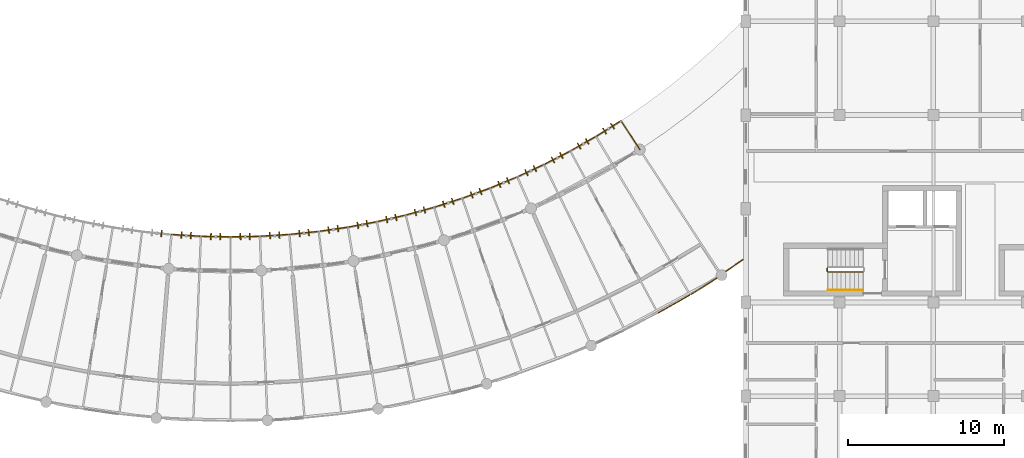
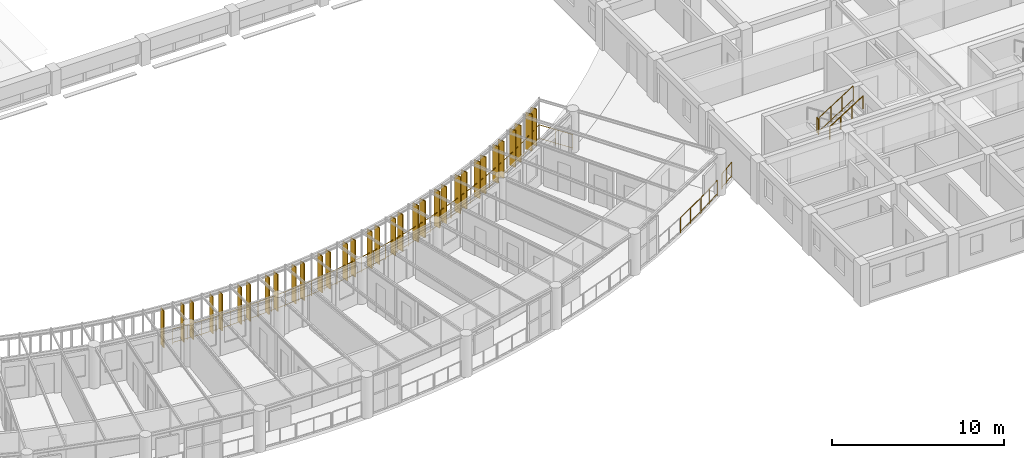
# One storey, part 126 of 137: 33 shading devices, 23 railings.
"""IFC4 building model written with IfcOpenShell, lengths in metres."""

from ifc_helpers import new_model, si_unit, direction, frame, origin, origin_2d, place, context, subcontext, project, spatial, rectangle, circle, extrude, material, layer, layer_set, type_object, element, save


model = new_model("IFC4")

# Units and contexts
model_context = context("Model", 3, precision=1e-05, world=origin(), true_north=direction((0.0, 1.0)))
body_context = subcontext(model_context, "Body", "Model", "MODEL_VIEW")
ifc_project = project(units=[si_unit("LENGTHUNIT", "METRE"), si_unit("AREAUNIT", "SQUARE_METRE"), si_unit("VOLUMEUNIT", "CUBIC_METRE"), si_unit("PLANEANGLEUNIT", "RADIAN"), si_unit("MASSUNIT", "GRAM", prefix="KILO"), si_unit("POWERUNIT", "WATT"), si_unit("THERMODYNAMICTEMPERATUREUNIT", "KELVIN")], contexts=[model_context])

# Site, building, storey
site_placement = place(None, origin())
site = spatial("IfcSite", under=ifc_project, at=site_placement, CompositionType="ELEMENT")
building_placement = place(site_placement, origin())
building = spatial("IfcBuilding", under=site, at=building_placement, Name="Ruvembo Vaulted Housing Court", CompositionType="ELEMENT")
storey_placement = place(building_placement, frame((0.0, 0.0, 4.5)))
storey = spatial("IfcBuildingStorey", under=building, at=storey_placement, Name="L01", CompositionType="ELEMENT", Elevation=4.5)

# Railings
ifc_material_1 = material(Name="Galvanised Painted Steel and Laminated Glass", Category="steel")
ifc_layer_1 = layer(ifc_material_1, 0.070068359375, Name="Galvanised Painted Steel and Laminated Glass")
ifc_layer_set_1 = layer_set([ifc_layer_1], Name="Galvanised Painted Steel and Laminated Glass")
railing_type_1 = type_object("IfcRailingType", Name="RL-BALUST-1120", PredefinedType="BALUSTRADE", material=ifc_layer_set_1)
railing_1_placement = place(storey_placement, frame((96.4072265625, 11.339599609375, 0.0)))
element("IfcRailing", 1, at=railing_1_placement, inside=storey, type_object=railing_type_1, Name="L01 Perimeter Guard RL-EXT-L01-0286", PredefinedType="BALUSTRADE", context=body_context, shape_type="SweptSolid", body=[
    extrude(circle(Radius=0.02392578125, at=origin_2d()), frame((0.0, 0.0, 1.09619140625), z_axis=(0.869960830337, 0.49312083071, 0.0), x_axis=(-0.49312083071, 0.869960830337, 0.0)), (0.0, 0.0, 1.0), 2.27587890625),
    extrude(circle(Radius=0.01806640625, at=origin_2d()), frame((0.0, 0.0, 0.1201171875), z_axis=(0.869960830337, 0.49312083071, 0.0), x_axis=(-0.49312083071, 0.869960830337, 0.0)), (0.0, 0.0, 1.0), 2.27587890625),
    extrude(circle(Radius=0.02099609375, at=origin_2d()), origin(), (0.0, 0.0, 1.0), 1.072021484375),
    extrude(circle(Radius=0.02099609375, at=origin_2d()), frame((0.989990234375, 0.56103515625, 0.0)), (0.0, 0.0, 1.0), 1.072021484375),
    extrude(circle(Radius=0.02099609375, at=origin_2d()), frame((1.97998046875, 1.122314453125, 0.0)), (0.0, 0.0, 1.0), 1.072021484375),
])
railing_2_placement = place(storey_placement, frame((98.47314453125, 12.512939453125, 0.0)))
element("IfcRailing", 2, at=railing_2_placement, inside=storey, type_object=railing_type_1, Name="L01 Perimeter Guard RL-EXT-L01-0287", PredefinedType="BALUSTRADE", context=body_context, shape_type="SweptSolid", body=[
    extrude(circle(Radius=0.02392578125, at=origin_2d()), frame((0.0, 0.0, 1.09619140625), z_axis=(0.848906322391, 0.528543333895, 0.0), x_axis=(-0.528543333895, 0.848906322391, 0.0)), (0.0, 0.0, 1.0), 1.97607421875),
    extrude(circle(Radius=0.01806640625, at=origin_2d()), frame((0.0, 0.0, 0.1201171875), z_axis=(0.848906322391, 0.528543333895, 0.0), x_axis=(-0.528543333895, 0.848906322391, 0.0)), (0.0, 0.0, 1.0), 1.97607421875),
    extrude(circle(Radius=0.02099609375, at=origin_2d()), origin(), (0.0, 0.0, 1.0), 1.072021484375),
    extrude(circle(Radius=0.02099609375, at=origin_2d()), frame((0.8388671875, 0.522216796875, 0.0)), (0.0, 0.0, 1.0), 1.072021484375),
    extrude(circle(Radius=0.02099609375, at=origin_2d()), frame((1.677490234375, 1.04443359375, 0.0)), (0.0, 0.0, 1.0), 1.072021484375),
])
ifc_material_2 = material(Name="Galvanised Painted Steel S275", Category="steel")
ifc_layer_2 = layer(ifc_material_2, 0.06005859375, Name="Galvanised Painted Steel S275")
ifc_layer_set_2 = layer_set([ifc_layer_2], Name="Galvanised Painted Steel S275")
railing_type_2 = type_object("IfcRailingType", Name="RL-GUARD-1100", PredefinedType="GUARDRAIL", material=ifc_layer_set_2)
railing_3_placement = place(storey_placement, frame((65.2255859375, 16.355712890625, 0.0)))
element("IfcRailing", 3, at=railing_3_placement, inside=storey, type_object=railing_type_2, Name="L01 Perimeter Guard RL-EXT-L01-0249", PredefinedType="GUARDRAIL", context=body_context, shape_type="SweptSolid", body=[
    extrude(circle(Radius=0.02392578125, at=origin_2d()), frame((0.0, 0.0, 1.076171875), z_axis=(0.998090110864, -0.061774837886, 0.0), x_axis=(0.061774837886, 0.998090110864, 0.0)), (0.0, 0.0, 1.0), 1.88916015625),
    extrude(circle(Radius=0.01806640625, at=origin_2d()), frame((0.0, 0.0, 0.1201171875), z_axis=(0.998090110864, -0.061774837886, 0.0), x_axis=(0.061774837886, 0.998090110864, 0.0)), (0.0, 0.0, 1.0), 1.88916015625),
    extrude(circle(Radius=0.02099609375, at=origin_2d()), origin(), (0.0, 0.0, 1.0), 1.052001953125),
    extrude(circle(Radius=0.02099609375, at=origin_2d()), frame((0.94287109375, -0.058349609375, 0.0)), (0.0, 0.0, 1.0), 1.052001953125),
    extrude(circle(Radius=0.02099609375, at=origin_2d()), frame((1.885498046875, -0.11669921875, 0.0)), (0.0, 0.0, 1.0), 1.052001953125),
])
railing_4_placement = place(storey_placement, frame((67.111083984375, 16.239013671875, 0.0)))
element("IfcRailing", 4, at=railing_4_placement, inside=storey, type_object=railing_type_2, Name="L01 Perimeter Guard RL-EXT-L01-0250", PredefinedType="GUARDRAIL", context=body_context, shape_type="SweptSolid", body=[
    extrude(circle(Radius=0.02392578125, at=origin_2d()), frame((0.0, 0.0, 1.076171875), z_axis=(0.99978624046, -0.020675429556, 0.0), x_axis=(0.020675429556, 0.99978624046, 0.0)), (0.0, 0.0, 1.0), 1.889404296875),
    extrude(circle(Radius=0.01806640625, at=origin_2d()), frame((0.0, 0.0, 0.1201171875), z_axis=(0.99978624046, -0.020675429556, 0.0), x_axis=(0.020675429556, 0.99978624046, 0.0)), (0.0, 0.0, 1.0), 1.889404296875),
    extrude(circle(Radius=0.02099609375, at=origin_2d()), origin(), (0.0, 0.0, 1.0), 1.052001953125),
    extrude(circle(Radius=0.02099609375, at=origin_2d()), frame((0.9443359375, -0.01953125, 0.0)), (0.0, 0.0, 1.0), 1.052001953125),
    extrude(circle(Radius=0.02099609375, at=origin_2d()), frame((1.888916015625, -0.0390625, 0.0)), (0.0, 0.0, 1.0), 1.052001953125),
])
railing_5_placement = place(storey_placement, frame((69.0, 16.199951171875, 0.0)))
element("IfcRailing", 5, at=railing_5_placement, inside=storey, type_object=railing_type_2, Name="L01 Perimeter Guard RL-EXT-L01-0251", PredefinedType="GUARDRAIL", context=body_context, shape_type="SweptSolid", body=[
    extrude(circle(Radius=0.02392578125, at=origin_2d()), frame((0.0, 0.0, 1.076171875), z_axis=(0.99978624046, 0.020675429556, 0.0), x_axis=(-0.020675429556, 0.99978624046, 0.0)), (0.0, 0.0, 1.0), 1.889404296875),
    extrude(circle(Radius=0.01806640625, at=origin_2d()), frame((0.0, 0.0, 0.1201171875), z_axis=(0.99978624046, 0.020675429556, 0.0), x_axis=(-0.020675429556, 0.99978624046, 0.0)), (0.0, 0.0, 1.0), 1.889404296875),
    extrude(circle(Radius=0.02099609375, at=origin_2d()), origin(), (0.0, 0.0, 1.0), 1.052001953125),
    extrude(circle(Radius=0.02099609375, at=origin_2d()), frame((0.9443359375, 0.01953125, 0.0)), (0.0, 0.0, 1.0), 1.052001953125),
    extrude(circle(Radius=0.02099609375, at=origin_2d()), frame((1.888916015625, 0.0390625, 0.0)), (0.0, 0.0, 1.0), 1.052001953125),
])
railing_6_placement = place(storey_placement, frame((70.888916015625, 16.239013671875, 0.0)))
element("IfcRailing", 6, at=railing_6_placement, inside=storey, type_object=railing_type_2, Name="L01 Perimeter Guard RL-EXT-L01-0252", PredefinedType="GUARDRAIL", context=body_context, shape_type="SweptSolid", body=[
    extrude(circle(Radius=0.02392578125, at=origin_2d()), frame((0.0, 0.0, 1.076171875), z_axis=(0.998090110864, 0.061774837886, 0.0), x_axis=(-0.061774837886, 0.998090110864, 0.0)), (0.0, 0.0, 1.0), 1.88916015625),
    extrude(circle(Radius=0.01806640625, at=origin_2d()), frame((0.0, 0.0, 0.1201171875), z_axis=(0.998090110864, 0.061774837886, 0.0), x_axis=(-0.061774837886, 0.998090110864, 0.0)), (0.0, 0.0, 1.0), 1.88916015625),
    extrude(circle(Radius=0.02099609375, at=origin_2d()), origin(), (0.0, 0.0, 1.0), 1.052001953125),
    extrude(circle(Radius=0.02099609375, at=origin_2d()), frame((0.94287109375, 0.058349609375, 0.0)), (0.0, 0.0, 1.0), 1.052001953125),
    extrude(circle(Radius=0.02099609375, at=origin_2d()), frame((1.885498046875, 0.11669921875, 0.0)), (0.0, 0.0, 1.0), 1.052001953125),
])
railing_7_placement = place(storey_placement, frame((72.7744140625, 16.355712890625, 0.0)))
element("IfcRailing", 7, at=railing_7_placement, inside=storey, type_object=railing_type_2, Name="L01 Perimeter Guard RL-EXT-L01-0253", PredefinedType="GUARDRAIL", context=body_context, shape_type="SweptSolid", body=[
    extrude(circle(Radius=0.02392578125, at=origin_2d()), frame((0.0, 0.0, 1.076171875), z_axis=(0.994683125416, 0.10298291127, 0.0), x_axis=(-0.10298291127, 0.994683125416, 0.0)), (0.0, 0.0, 1.0), 1.889404296875),
    extrude(circle(Radius=0.01806640625, at=origin_2d()), frame((0.0, 0.0, 0.1201171875), z_axis=(0.994683125416, 0.10298291127, 0.0), x_axis=(-0.10298291127, 0.994683125416, 0.0)), (0.0, 0.0, 1.0), 1.889404296875),
    extrude(circle(Radius=0.02099609375, at=origin_2d()), origin(), (0.0, 0.0, 1.0), 1.052001953125),
    extrude(circle(Radius=0.02099609375, at=origin_2d()), frame((0.939697265625, 0.09716796875, 0.0)), (0.0, 0.0, 1.0), 1.052001953125),
    extrude(circle(Radius=0.02099609375, at=origin_2d()), frame((1.87939453125, 0.194580078125, 0.0)), (0.0, 0.0, 1.0), 1.052001953125),
])
railing_8_placement = place(storey_placement, frame((74.65380859375, 16.55029296875, 0.0)))
element("IfcRailing", 8, at=railing_8_placement, inside=storey, type_object=railing_type_2, Name="L01 Perimeter Guard RL-EXT-L01-0254", PredefinedType="GUARDRAIL", context=body_context, shape_type="SweptSolid", body=[
    extrude(circle(Radius=0.02392578125, at=origin_2d()), frame((0.0, 0.0, 1.076171875), z_axis=(0.989600158039, 0.143845497701, 0.0), x_axis=(-0.143845497701, 0.989600158039, 0.0)), (0.0, 0.0, 1.0), 1.888916015625),
    extrude(circle(Radius=0.01806640625, at=origin_2d()), frame((0.0, 0.0, 0.1201171875), z_axis=(0.989600158039, 0.143845497701, 0.0), x_axis=(-0.143845497701, 0.989600158039, 0.0)), (0.0, 0.0, 1.0), 1.888916015625),
    extrude(circle(Radius=0.02099609375, at=origin_2d()), origin(), (0.0, 0.0, 1.0), 1.052001953125),
    extrude(circle(Radius=0.02099609375, at=origin_2d()), frame((0.9345703125, 0.1357421875, 0.0)), (0.0, 0.0, 1.0), 1.052001953125),
    extrude(circle(Radius=0.02099609375, at=origin_2d()), frame((1.869384765625, 0.271728515625, 0.0)), (0.0, 0.0, 1.0), 1.052001953125),
])
railing_9_placement = place(storey_placement, frame((76.523193359375, 16.822021484375, 0.0)))
element("IfcRailing", 9, at=railing_9_placement, inside=storey, type_object=railing_type_2, Name="L01 Perimeter Guard RL-EXT-L01-0255", PredefinedType="GUARDRAIL", context=body_context, shape_type="SweptSolid", body=[
    extrude(circle(Radius=0.02392578125, at=origin_2d()), frame((0.0, 0.0, 1.076171875), z_axis=(0.982804832401, 0.184647397515, 0.0), x_axis=(-0.184647397515, 0.982804832401, 0.0)), (0.0, 0.0, 1.0), 1.889404296875),
    extrude(circle(Radius=0.01806640625, at=origin_2d()), frame((0.0, 0.0, 0.1201171875), z_axis=(0.982804832401, 0.184647397515, 0.0), x_axis=(-0.184647397515, 0.982804832401, 0.0)), (0.0, 0.0, 1.0), 1.889404296875),
    extrude(circle(Radius=0.02099609375, at=origin_2d()), origin(), (0.0, 0.0, 1.0), 1.052001953125),
    extrude(circle(Radius=0.02099609375, at=origin_2d()), frame((0.928466796875, 0.17431640625, 0.0)), (0.0, 0.0, 1.0), 1.052001953125),
    extrude(circle(Radius=0.02099609375, at=origin_2d()), frame((1.85693359375, 0.348876953125, 0.0)), (0.0, 0.0, 1.0), 1.052001953125),
])
railing_10_placement = place(storey_placement, frame((78.380126953125, 17.1708984375, 0.0)))
element("IfcRailing", 10, at=railing_10_placement, inside=storey, type_object=railing_type_2, Name="L01 Perimeter Guard RL-EXT-L01-0256", PredefinedType="GUARDRAIL", context=body_context, shape_type="SweptSolid", body=[
    extrude(circle(Radius=0.02392578125, at=origin_2d()), frame((0.0, 0.0, 1.076171875), z_axis=(0.974391195695, 0.224859506699, 0.0), x_axis=(-0.224859506699, 0.974391195695, 0.0)), (0.0, 0.0, 1.0), 1.88916015625),
    extrude(circle(Radius=0.01806640625, at=origin_2d()), frame((0.0, 0.0, 0.1201171875), z_axis=(0.974391195695, 0.224859506699, 0.0), x_axis=(-0.224859506699, 0.974391195695, 0.0)), (0.0, 0.0, 1.0), 1.88916015625),
    extrude(circle(Radius=0.02099609375, at=origin_2d()), origin(), (0.0, 0.0, 1.0), 1.052001953125),
    extrude(circle(Radius=0.02099609375, at=origin_2d()), frame((0.92041015625, 0.21240234375, 0.0)), (0.0, 0.0, 1.0), 1.052001953125),
    extrude(circle(Radius=0.02099609375, at=origin_2d()), frame((1.8408203125, 0.4248046875, 0.0)), (0.0, 0.0, 1.0), 1.052001953125),
])
railing_11_placement = place(storey_placement, frame((80.220947265625, 17.595703125, 0.0)))
element("IfcRailing", 11, at=railing_11_placement, inside=storey, type_object=railing_type_2, Name="L01 Perimeter Guard RL-EXT-L01-0257", PredefinedType="GUARDRAIL", context=body_context, shape_type="SweptSolid", body=[
    extrude(circle(Radius=0.02392578125, at=origin_2d()), frame((0.0, 0.0, 1.076171875), z_axis=(0.964240073493, 0.26503033915, 0.0), x_axis=(-0.26503033915, 0.964240073493, 0.0)), (0.0, 0.0, 1.0), 1.889404296875),
    extrude(circle(Radius=0.01806640625, at=origin_2d()), frame((0.0, 0.0, 0.1201171875), z_axis=(0.964240073493, 0.26503033915, 0.0), x_axis=(-0.26503033915, 0.964240073493, 0.0)), (0.0, 0.0, 1.0), 1.889404296875),
    extrude(circle(Radius=0.02099609375, at=origin_2d()), origin(), (0.0, 0.0, 1.0), 1.052001953125),
    extrude(circle(Radius=0.02099609375, at=origin_2d()), frame((0.910888671875, 0.25048828125, 0.0)), (0.0, 0.0, 1.0), 1.052001953125),
    extrude(circle(Radius=0.02099609375, at=origin_2d()), frame((1.82177734375, 0.500732421875, 0.0)), (0.0, 0.0, 1.0), 1.052001953125),
])
railing_12_placement = place(storey_placement, frame((82.042724609375, 18.096435546875, 0.0)))
element("IfcRailing", 12, at=railing_12_placement, inside=storey, type_object=railing_type_2, Name="L01 Perimeter Guard RL-EXT-L01-0258", PredefinedType="GUARDRAIL", context=body_context, shape_type="SweptSolid", body=[
    extrude(circle(Radius=0.02392578125, at=origin_2d()), frame((0.0, 0.0, 1.076171875), z_axis=(0.952526124364, 0.304456864605, 0.0), x_axis=(-0.304456864605, 0.952526124364, 0.0)), (0.0, 0.0, 1.0), 1.88916015625),
    extrude(circle(Radius=0.01806640625, at=origin_2d()), frame((0.0, 0.0, 0.1201171875), z_axis=(0.952526124364, 0.304456864605, 0.0), x_axis=(-0.304456864605, 0.952526124364, 0.0)), (0.0, 0.0, 1.0), 1.88916015625),
    extrude(circle(Radius=0.02099609375, at=origin_2d()), origin(), (0.0, 0.0, 1.0), 1.052001953125),
    extrude(circle(Radius=0.02099609375, at=origin_2d()), frame((0.89990234375, 0.28759765625, 0.0)), (0.0, 0.0, 1.0), 1.052001953125),
    extrude(circle(Radius=0.02099609375, at=origin_2d()), frame((1.799560546875, 0.5751953125, 0.0)), (0.0, 0.0, 1.0), 1.052001953125),
])
railing_13_placement = place(storey_placement, frame((83.84228515625, 18.671630859375, 0.0)))
element("IfcRailing", 13, at=railing_13_placement, inside=storey, type_object=railing_type_2, Name="L01 Perimeter Guard RL-EXT-L01-0259", PredefinedType="GUARDRAIL", context=body_context, shape_type="SweptSolid", body=[
    extrude(circle(Radius=0.02392578125, at=origin_2d()), frame((0.0, 0.0, 1.076171875), z_axis=(0.939165556371, 0.343464783824, 0.0), x_axis=(-0.343464783824, 0.939165556371, 0.0)), (0.0, 0.0, 1.0), 1.889404296875),
    extrude(circle(Radius=0.01806640625, at=origin_2d()), frame((0.0, 0.0, 0.1201171875), z_axis=(0.939165556371, 0.343464783824, 0.0), x_axis=(-0.343464783824, 0.939165556371, 0.0)), (0.0, 0.0, 1.0), 1.889404296875),
    extrude(circle(Radius=0.02099609375, at=origin_2d()), origin(), (0.0, 0.0, 1.0), 1.052001953125),
    extrude(circle(Radius=0.02099609375, at=origin_2d()), frame((0.88720703125, 0.324462890625, 0.0)), (0.0, 0.0, 1.0), 1.052001953125),
    extrude(circle(Radius=0.02099609375, at=origin_2d()), frame((1.7744140625, 0.64892578125, 0.0)), (0.0, 0.0, 1.0), 1.052001953125),
])
railing_14_placement = place(storey_placement, frame((85.61669921875, 19.320556640625, 0.0)))
element("IfcRailing", 14, at=railing_14_placement, inside=storey, type_object=railing_type_2, Name="L01 Perimeter Guard RL-EXT-L01-0260", PredefinedType="GUARDRAIL", context=body_context, shape_type="SweptSolid", body=[
    extrude(circle(Radius=0.02392578125, at=origin_2d()), frame((0.0, 0.0, 1.076171875), z_axis=(0.924155321549, 0.38201693896, 0.0), x_axis=(-0.38201693896, 0.924155321549, 0.0)), (0.0, 0.0, 1.0), 1.88916015625),
    extrude(circle(Radius=0.01806640625, at=origin_2d()), frame((0.0, 0.0, 0.1201171875), z_axis=(0.924155321549, 0.38201693896, 0.0), x_axis=(-0.38201693896, 0.924155321549, 0.0)), (0.0, 0.0, 1.0), 1.88916015625),
    extrude(circle(Radius=0.02099609375, at=origin_2d()), origin(), (0.0, 0.0, 1.0), 1.052001953125),
    extrude(circle(Radius=0.02099609375, at=origin_2d()), frame((0.873046875, 0.36083984375, 0.0)), (0.0, 0.0, 1.0), 1.052001953125),
    extrude(circle(Radius=0.02099609375, at=origin_2d()), frame((1.745849609375, 0.7216796875, 0.0)), (0.0, 0.0, 1.0), 1.052001953125),
])
railing_15_placement = place(storey_placement, frame((87.362548828125, 20.042236328125, 0.0)))
element("IfcRailing", 15, at=railing_15_placement, inside=storey, type_object=railing_type_2, Name="L01 Perimeter Guard RL-EXT-L01-0261", PredefinedType="GUARDRAIL", context=body_context, shape_type="SweptSolid", body=[
    extrude(circle(Radius=0.02392578125, at=origin_2d()), frame((0.0, 0.0, 1.076171875), z_axis=(0.907656578832, 0.419713634403, 0.0), x_axis=(-0.419713634403, 0.907656578832, 0.0)), (0.0, 0.0, 1.0), 1.889404296875),
    extrude(circle(Radius=0.01806640625, at=origin_2d()), frame((0.0, 0.0, 0.1201171875), z_axis=(0.907656578832, 0.419713634403, 0.0), x_axis=(-0.419713634403, 0.907656578832, 0.0)), (0.0, 0.0, 1.0), 1.889404296875),
    extrude(circle(Radius=0.02099609375, at=origin_2d()), origin(), (0.0, 0.0, 1.0), 1.052001953125),
    extrude(circle(Radius=0.02099609375, at=origin_2d()), frame((0.857421875, 0.396484375, 0.0)), (0.0, 0.0, 1.0), 1.052001953125),
    extrude(circle(Radius=0.02099609375, at=origin_2d()), frame((1.71484375, 0.79296875, 0.0)), (0.0, 0.0, 1.0), 1.052001953125),
])
railing_16_placement = place(storey_placement, frame((89.077392578125, 20.835205078125, 0.0)))
element("IfcRailing", 16, at=railing_16_placement, inside=storey, type_object=railing_type_2, Name="L01 Perimeter Guard RL-EXT-L01-0262", PredefinedType="GUARDRAIL", context=body_context, shape_type="SweptSolid", body=[
    extrude(circle(Radius=0.02392578125, at=origin_2d()), frame((0.0, 0.0, 1.076171875), z_axis=(0.889568437347, 0.45680192127, 0.0), x_axis=(-0.45680192127, 0.889568437347, 0.0)), (0.0, 0.0, 1.0), 1.889404296875),
    extrude(circle(Radius=0.01806640625, at=origin_2d()), frame((0.0, 0.0, 0.1201171875), z_axis=(0.889568437347, 0.45680192127, 0.0), x_axis=(-0.45680192127, 0.889568437347, 0.0)), (0.0, 0.0, 1.0), 1.889404296875),
    extrude(circle(Radius=0.02099609375, at=origin_2d()), origin(), (0.0, 0.0, 1.0), 1.052001953125),
    extrude(circle(Radius=0.02099609375, at=origin_2d()), frame((0.84033203125, 0.431640625, 0.0)), (0.0, 0.0, 1.0), 1.052001953125),
    extrude(circle(Radius=0.02099609375, at=origin_2d()), frame((1.6806640625, 0.863037109375, 0.0)), (0.0, 0.0, 1.0), 1.052001953125),
])
railing_17_placement = place(storey_placement, frame((90.758056640625, 21.6982421875, 0.0)))
element("IfcRailing", 17, at=railing_17_placement, inside=storey, type_object=railing_type_2, Name="L01 Perimeter Guard RL-EXT-L01-0263", PredefinedType="GUARDRAIL", context=body_context, shape_type="SweptSolid", body=[
    extrude(circle(Radius=0.02392578125, at=origin_2d()), frame((0.0, 0.0, 1.076171875), z_axis=(0.869955662473, 0.493129947712, 0.0), x_axis=(-0.493129947712, 0.869955662473, 0.0)), (0.0, 0.0, 1.0), 1.88916015625),
    extrude(circle(Radius=0.01806640625, at=origin_2d()), frame((0.0, 0.0, 0.1201171875), z_axis=(0.869955662473, 0.493129947712, 0.0), x_axis=(-0.493129947712, 0.869955662473, 0.0)), (0.0, 0.0, 1.0), 1.88916015625),
    extrude(circle(Radius=0.02099609375, at=origin_2d()), origin(), (0.0, 0.0, 1.0), 1.052001953125),
    extrude(circle(Radius=0.02099609375, at=origin_2d()), frame((0.82177734375, 0.4658203125, 0.0)), (0.0, 0.0, 1.0), 1.052001953125),
    extrude(circle(Radius=0.02099609375, at=origin_2d()), frame((1.6435546875, 0.931640625, 0.0)), (0.0, 0.0, 1.0), 1.052001953125),
])
railing_18_placement = place(storey_placement, frame((92.401611328125, 22.6298828125, 0.0)))
element("IfcRailing", 18, at=railing_18_placement, inside=storey, type_object=railing_type_2, Name="L01 Perimeter Guard RL-EXT-L01-0264", PredefinedType="GUARDRAIL", context=body_context, shape_type="SweptSolid", body=[
    extrude(circle(Radius=0.02392578125, at=origin_2d()), frame((0.0, 0.0, 1.076171875), z_axis=(0.848904567119, 0.52854615307, 0.0), x_axis=(-0.52854615307, 0.848904567119, 0.0)), (0.0, 0.0, 1.0), 1.88916015625),
    extrude(circle(Radius=0.01806640625, at=origin_2d()), frame((0.0, 0.0, 0.1201171875), z_axis=(0.848904567119, 0.52854615307, 0.0), x_axis=(-0.52854615307, 0.848904567119, 0.0)), (0.0, 0.0, 1.0), 1.88916015625),
    extrude(circle(Radius=0.02099609375, at=origin_2d()), origin(), (0.0, 0.0, 1.0), 1.052001953125),
    extrude(circle(Radius=0.02099609375, at=origin_2d()), frame((0.8017578125, 0.499267578125, 0.0)), (0.0, 0.0, 1.0), 1.052001953125),
    extrude(circle(Radius=0.02099609375, at=origin_2d()), frame((1.603759765625, 0.99853515625, 0.0)), (0.0, 0.0, 1.0), 1.052001953125),
])
railing_19_placement = place(storey_placement, frame((94.00537109375, 23.62841796875, 0.0)))
element("IfcRailing", 19, at=railing_19_placement, inside=storey, type_object=railing_type_2, Name="L01 Perimeter Guard RL-EXT-L01-0265", PredefinedType="GUARDRAIL", context=body_context, shape_type="SweptSolid", body=[
    extrude(circle(Radius=0.02392578125, at=origin_2d()), frame((0.0, 0.0, 1.076171875), z_axis=(0.546013859183, -0.837776142881, 0.0), x_axis=(0.837776142881, 0.546013859183, 0.0)), (0.0, 0.0, 1.0), 2.199951171875),
    extrude(circle(Radius=0.01806640625, at=origin_2d()), frame((0.0, 0.0, 0.1201171875), z_axis=(0.546013859183, -0.837776142881, 0.0), x_axis=(0.837776142881, 0.546013859183, 0.0)), (0.0, 0.0, 1.0), 2.199951171875),
    extrude(circle(Radius=0.02099609375, at=origin_2d()), origin(), (0.0, 0.0, 1.0), 1.052001953125),
    extrude(circle(Radius=0.02099609375, at=origin_2d()), frame((0.6005859375, -0.92138671875, 0.0)), (0.0, 0.0, 1.0), 1.052001953125),
    extrude(circle(Radius=0.02099609375, at=origin_2d()), frame((1.201171875, -1.843017578125, 0.0)), (0.0, 0.0, 1.0), 1.052001953125),
])
railing_20_placement = place(storey_placement, frame((101.81494140625, 14.74658203125, 0.0)))
element("IfcRailing", 20, at=railing_20_placement, inside=storey, type_object=railing_type_2, Name="L01 Perimeter Guard RL-EXT-L01-0907", PredefinedType="GUARDRAIL", context=body_context, shape_type="SweptSolid", body=[
    extrude(circle(Radius=0.02392578125, at=origin_2d()), frame((0.0, 0.0, 1.076171875), z_axis=(-0.82642602125, -0.563045319136, 0.0), x_axis=(0.563045319136, -0.82642602125, 0.0)), (0.0, 0.0, 1.0), 1.325439453125),
    extrude(circle(Radius=0.01806640625, at=origin_2d()), frame((0.0, 0.0, 0.1201171875), z_axis=(-0.82642602125, -0.563045319136, 0.0), x_axis=(0.563045319136, -0.82642602125, 0.0)), (0.0, 0.0, 1.0), 1.325439453125),
    extrude(circle(Radius=0.02099609375, at=origin_2d()), origin(), (0.0, 0.0, 1.0), 1.052001953125),
    extrude(circle(Radius=0.02099609375, at=origin_2d()), frame((-0.5478515625, -0.373046875, 0.0)), (0.0, 0.0, 1.0), 1.052001953125),
    extrude(circle(Radius=0.02099609375, at=origin_2d()), frame((-1.095458984375, -0.746337890625, 0.0)), (0.0, 0.0, 1.0), 1.052001953125),
])
ifc_material_3 = material(Name="Painted Galvanised Steel S275", Category="steel")
ifc_layer_3 = layer(ifc_material_3, 0.06005859375, Name="Painted Galvanised Steel S275")
ifc_layer_set_3 = layer_set([ifc_layer_3], Name="Painted Galvanised Steel S275")
railing_type_3 = type_object("IfcRailingType", Name="RL-STAIR-GR1100", PredefinedType="GUARDRAIL", material=ifc_layer_set_3)
railing_21_placement = place(storey_placement, frame((107.2099609375, 14.199951171875, 1.60009765625)))
element("IfcRailing", 21, at=railing_21_placement, inside=storey, type_object=railing_type_3, Name="L01 ST-C1 stair guard 2", PredefinedType="GUARDRAIL", context=body_context, shape_type="SweptSolid", body=[
    extrude(circle(Radius=0.02392578125, at=origin_2d()), frame((0.0, 0.0, 1.076171875), z_axis=(0.0, -1.0, 0.0), x_axis=(1.0, 0.0, 0.0)), (0.0, 0.0, 1.0), 0.199951171875),
    extrude(circle(Radius=0.01806640625, at=origin_2d()), frame((0.0, 0.0, 0.1201171875), z_axis=(0.0, -1.0, 0.0), x_axis=(1.0, 0.0, 0.0)), (0.0, 0.0, 1.0), 0.199951171875),
    extrude(circle(Radius=0.02099609375, at=origin_2d()), origin(), (0.0, 0.0, 1.0), 1.052001953125),
    extrude(circle(Radius=0.02099609375, at=origin_2d()), frame((0.0, -0.199951171875, 0.0)), (0.0, 0.0, 1.0), 1.052001953125),
])
railing_22_placement = place(storey_placement, frame((107.260009765625, 13.949951171875, 1.77783203125)))
element("IfcRailing", 22, at=railing_22_placement, inside=storey, type_object=railing_type_3, Name="L01 ST-C1 stair guard 3", PredefinedType="GUARDRAIL", context=body_context, shape_type="SweptSolid", body=[
    extrude(circle(Radius=0.02392578125, at=origin_2d()), frame((0.0, 0.0, 1.076171875), z_axis=(0.8442293374, 0.0, 0.53598211339), x_axis=(0.0, 1.0, 0.0)), (0.0, 0.0, 1.0), 2.6533203125),
    extrude(circle(Radius=0.01806640625, at=origin_2d()), frame((0.0, 0.0, 0.1201171875), z_axis=(0.8442293374, 0.0, 0.53598211339), x_axis=(0.0, 1.0, 0.0)), (0.0, 0.0, 1.0), 2.6533203125),
    extrude(circle(Radius=0.02099609375, at=origin_2d()), origin(), (0.0, 0.0, 1.0), 1.052001953125),
    extrude(circle(Radius=0.02099609375, at=origin_2d()), frame((0.74658203125, 0.0, 0.47412109375)), (0.0, 0.0, 1.0), 1.052001953125),
    extrude(circle(Radius=0.02099609375, at=origin_2d()), frame((1.493408203125, 0.0, 0.947998046875)), (0.0, 0.0, 1.0), 1.052001953125),
    extrude(circle(Radius=0.02099609375, at=origin_2d()), frame((2.239990234375, 0.0, 1.422119140625)), (0.0, 0.0, 1.0), 1.052001953125),
])
ifc_material_4 = material(Name="Brushed Stainless Steel 304", Category="steel")
ifc_layer_4 = layer(ifc_material_4, 0.050048828125, Name="Brushed Stainless Steel 304")
ifc_layer_set_4 = layer_set([ifc_layer_4], Name="Brushed Stainless Steel 304")
railing_type_4 = type_object("IfcRailingType", Name="RL-STAIR-HR920", PredefinedType="HANDRAIL", material=ifc_layer_set_4)
railing_23_placement = place(storey_placement, frame((107.260009765625, 12.800048828125, 1.959228515625)))
element("IfcRailing", 23, at=railing_23_placement, inside=storey, type_object=railing_type_4, Name="L01 ST-C1 stair handrail 2", PredefinedType="HANDRAIL", context=body_context, shape_type="SweptSolid", body=[
    extrude(circle(Radius=0.02392578125, at=origin_2d()), frame((0.0, 0.0, 0.8759765625), z_axis=(0.84418770128, 0.0, 0.536047689118), x_axis=(0.0, 1.0, 0.0)), (0.0, 0.0, 1.0), 2.6533203125),
    extrude(circle(Radius=0.02099609375, at=origin_2d()), origin(), (0.0, 0.0, 1.0), 0.851806640625),
    extrude(circle(Radius=0.02099609375, at=origin_2d()), frame((0.74658203125, 0.0, 0.47412109375)), (0.0, 0.0, 1.0), 0.851806640625),
    extrude(circle(Radius=0.02099609375, at=origin_2d()), frame((1.493408203125, 0.0, 0.9482421875)), (0.0, 0.0, 1.0), 0.851806640625),
    extrude(circle(Radius=0.02099609375, at=origin_2d()), frame((2.239990234375, 0.0, 1.42236328125)), (0.0, 0.0, 1.0), 0.851806640625),
])

# Shading devices
ifc_material_5 = material(Name="Kiln-Fired Terracotta Extrusion", Category="masonry")
shading_device_type = type_object("IfcShadingDeviceType", Name="SHD-FIN-420", PredefinedType="USERDEFINED", material=ifc_material_5)
for number, where, z_axis, x_axis, name in (
    (24, (64.584228515625, 16.422119140625, 0.0498046875), (0.0, 0.0, 1.0), (-0.102948783072, -0.994686658232, 0.0), "Terracotta Brise-Soleil Fin #214"),
    (25, (65.868896484375, 16.31591796875, 0.0498046875), (0.0, 0.0, 1.0), (-0.061832453863, -0.998086543166, 0.0), "Terracotta Brise-Soleil Fin #215"),
    (26, (66.4677734375, 16.27880859375, 0.0498046875), (0.0, 0.0, 1.0), (-0.061832453863, -0.998086543166, 0.0), "Terracotta Brise-Soleil Fin #216"),
    (27, (67.755615234375, 16.2255859375, 0.0498046875), (0.0, 0.0, 1.0), (-0.020645778066, -0.999786853208, 0.0), "Terracotta Brise-Soleil Fin #217"),
    (28, (68.35546875, 16.21337890625, 0.0498046875), (0.0, 0.0, 1.0), (-0.020645778066, -0.999786853208, 0.0), "Terracotta Brise-Soleil Fin #218"),
    (29, (69.64453125, 16.21337890625, 0.0498046875), (0.0, 0.0, 1.0), (0.020645778066, -0.999786853208, 0.0), "Terracotta Brise-Soleil Fin #219"),
    (30, (70.244384765625, 16.2255859375, 0.0498046875), (0.0, 0.0, 1.0), (0.020645778066, -0.999786853208, 0.0), "Terracotta Brise-Soleil Fin #220"),
    (31, (71.5322265625, 16.27880859375, 0.0498046875), (0.0, 0.0, 1.0), (0.061832453863, -0.998086543166, 0.0), "Terracotta Brise-Soleil Fin #221"),
    (32, (72.131103515625, 16.31591796875, 0.0498046875), (0.0, 0.0, 1.0), (0.061832453863, -0.998086543166, 0.0), "Terracotta Brise-Soleil Fin #222"),
    (33, (73.415771484375, 16.422119140625, 0.0498046875), (0.0, 0.0, 1.0), (0.102948783072, -0.994686658232, 0.0), "Terracotta Brise-Soleil Fin #223"),
    (34, (74.012451171875, 16.48388671875, 0.0498046875), (0.0, 0.0, 1.0), (0.102948783072, -0.994686658232, 0.0), "Terracotta Brise-Soleil Fin #224"),
    (35, (75.29150390625, 16.64306640625, 0.0498046875), (0.0, 0.0, 1.0), (0.143872610257, -0.989596216655, 0.0), "Terracotta Brise-Soleil Fin #225"),
    (36, (75.885498046875, 16.7294921875, 0.0498046875), (0.0, 0.0, 1.0), (0.143872610257, -0.989596216655, 0.0), "Terracotta Brise-Soleil Fin #226"),
    (37, (77.156982421875, 16.941162109375, 0.0498046875), (0.0, 0.0, 1.0), (0.184568910756, -0.982819575091, 0.0), "Terracotta Brise-Soleil Fin #227"),
    (38, (77.74658203125, 17.0517578125, 0.0498046875), (0.0, 0.0, 1.0), (0.184568910756, -0.982819575091, 0.0), "Terracotta Brise-Soleil Fin #228"),
    (39, (79.00830078125, 17.31591796875, 0.0498046875), (0.0, 0.0, 1.0), (0.224951054344, -0.974370064785, 0.0), "Terracotta Brise-Soleil Fin #229"),
    (40, (79.593017578125, 17.45068359375, 0.0498046875), (0.0, 0.0, 1.0), (0.224951054344, -0.974370064785, 0.0), "Terracotta Brise-Soleil Fin #230"),
    (41, (80.842529296875, 17.7666015625, 0.0498046875), (0.0, 0.0, 1.0), (0.264983965035, -0.96425281865, 0.0), "Terracotta Brise-Soleil Fin #231"),
    (42, (81.421142578125, 17.925537109375, 0.0498046875), (0.0, 0.0, 1.0), (0.264983965035, -0.96425281865, 0.0), "Terracotta Brise-Soleil Fin #232"),
    (43, (82.65673828125, 18.292724609375, 0.0498046875), (0.0, 0.0, 1.0), (0.304448708958, -0.952528731122, 0.0), "Terracotta Brise-Soleil Fin #233"),
    (44, (83.228271484375, 18.475341796875, 0.0498046875), (0.0, 0.0, 1.0), (0.304448708958, -0.952528731122, 0.0), "Terracotta Brise-Soleil Fin #234"),
    (45, (84.44775390625, 18.89306640625, 0.0498046875), (0.0, 0.0, 1.0), (0.343512177766, -0.939148222447, 0.0), "Terracotta Brise-Soleil Fin #235"),
    (46, (85.01123046875, 19.09912109375, 0.0498046875), (0.0, 0.0, 1.0), (0.343512177766, -0.939148222447, 0.0), "Terracotta Brise-Soleil Fin #236"),
    (47, (86.21240234375, 19.56689453125, 0.0498046875), (0.0, 0.0, 1.0), (0.381957701122, -0.924179806398, 0.0), "Terracotta Brise-Soleil Fin #237"),
    (48, (86.766845703125, 19.7958984375, 0.0498046875), (0.0, 0.0, 1.0), (0.381957701122, -0.924179806398, 0.0), "Terracotta Brise-Soleil Fin #238"),
    (49, (87.94775390625, 20.312744140625, 0.0498046875), (0.0, 0.0, 1.0), (0.419737248448, -0.90764565898, 0.0), "Terracotta Brise-Soleil Fin #239"),
    (50, (88.4921875, 20.564697265625, 0.0498046875), (0.0, 0.0, 1.0), (0.419737248448, -0.90764565898, 0.0), "Terracotta Brise-Soleil Fin #240"),
    (51, (89.65087890625, 21.129638671875, 0.0498046875), (0.0, 0.0, 1.0), (0.456849537333, -0.889543984432, 0.0), "Terracotta Brise-Soleil Fin #241"),
    (52, (90.1845703125, 21.40380859375, 0.0498046875), (0.0, 0.0, 1.0), (0.456849537333, -0.889543984432, 0.0), "Terracotta Brise-Soleil Fin #242"),
    (53, (91.31884765625, 22.01611328125, 0.0498046875), (0.0, 0.0, 1.0), (0.493106983922, -0.86996867898, 0.0), "Terracotta Brise-Soleil Fin #243"),
    (54, (91.8408203125, 22.31201171875, 0.0498046875), (0.0, 0.0, 1.0), (0.493106983922, -0.86996867898, 0.0), "Terracotta Brise-Soleil Fin #244"),
    (55, (92.94873046875, 22.970703125, 0.0498046875), (0.0, 0.0, 1.0), (0.528556868381, -0.848897895443, 0.0), "Terracotta Brise-Soleil Fin #245"),
    (56, (93.458251953125, 23.287841796875, 0.0498046875), (0.0, 0.0, 1.0), (0.528556868381, -0.848897895443, 0.0), "Terracotta Brise-Soleil Fin #246"),
):
    element("IfcShadingDevice", number, at=place(storey_placement, frame(where, z_axis=z_axis, x_axis=x_axis)), inside=storey, type_object=shading_device_type, Name=name, ObjectType="FIN", PredefinedType="USERDEFINED", context=body_context, shape_type="SweptSolid", body=[
        extrude(rectangle(XDim=0.419921875, YDim=0.06494140625, at=origin_2d()), origin(), (0.0, 0.0, 1.0), 2.613037109375),
    ])

save(model, "model.ifc")
